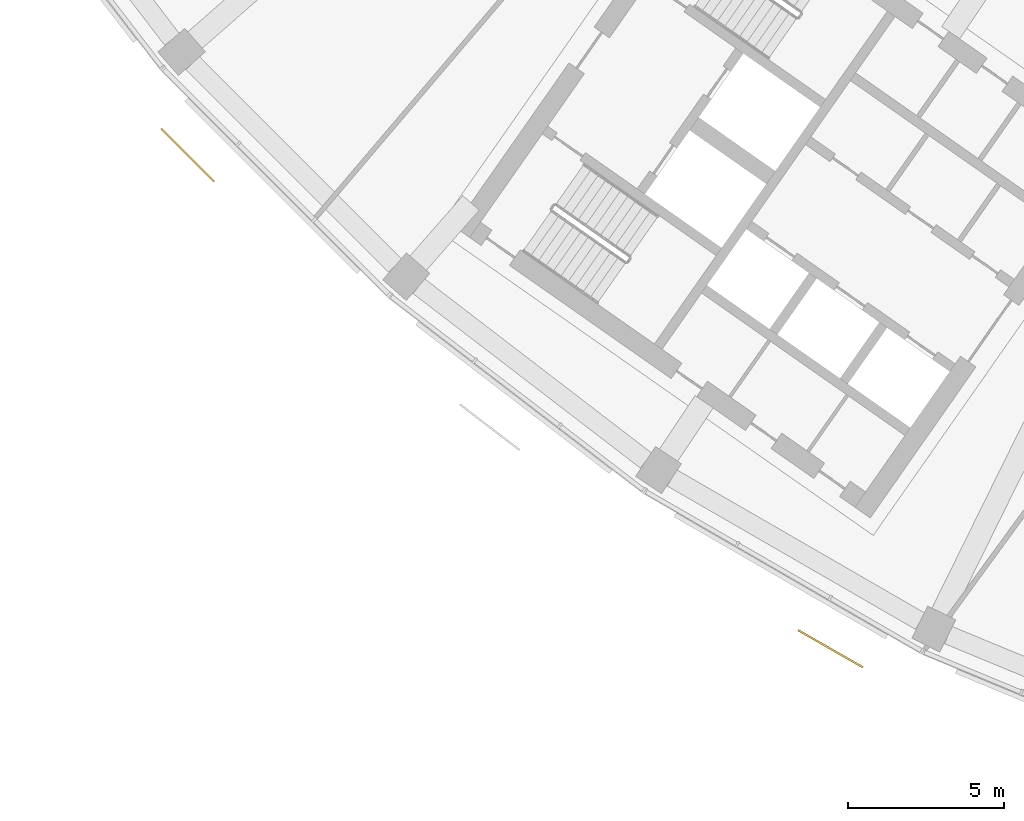
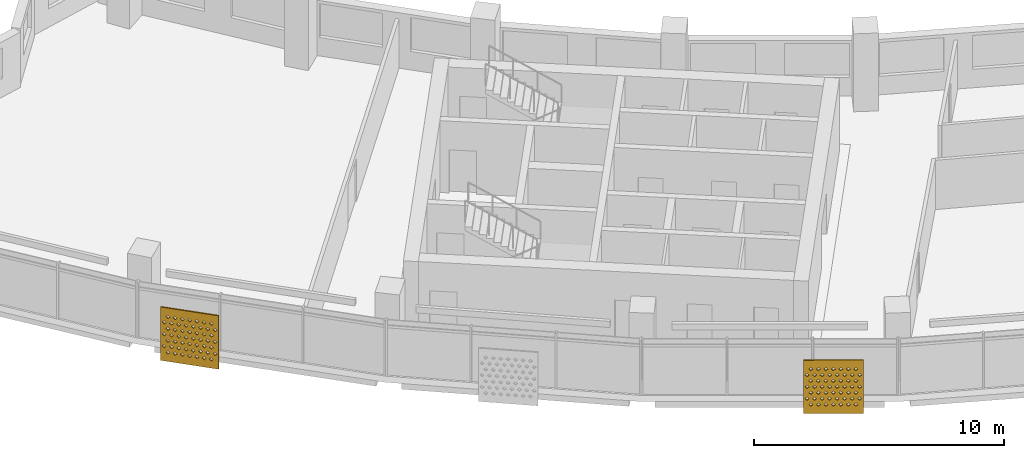
# One storey, part 22 of 27: 2 shading devices.
"""IFC4 building model written with IfcOpenShell, lengths in metres."""

from ifc_helpers import new_model, si_unit, direction, frame, origin, place, context, subcontext, project, spatial, polyline, outline, extrude, material, material_profile, profile_set, type_object, element, save


model = new_model("IFC4")

# Units and contexts
model_context = context("Model", 3, precision=1e-05, world=origin(), true_north=direction((0.0, 1.0)))
body_context = subcontext(model_context, "Body", "Model", "MODEL_VIEW")
ifc_project = project(units=[si_unit("LENGTHUNIT", "METRE"), si_unit("AREAUNIT", "SQUARE_METRE"), si_unit("VOLUMEUNIT", "CUBIC_METRE"), si_unit("PLANEANGLEUNIT", "RADIAN"), si_unit("MASSUNIT", "GRAM", prefix="KILO")], contexts=[model_context])

# Site, building, storey
site_placement = place(None, origin())
site = spatial("IfcSite", under=ifc_project, at=site_placement, CompositionType="ELEMENT")
building_placement = place(site_placement, origin())
building = spatial("IfcBuilding", under=site, at=building_placement, Name="Qamariyya Broadcast Tower", CompositionType="ELEMENT")
storey_placement = place(building_placement, frame((0.0, 0.0, 222.699951171875)))
storey = spatial("IfcBuildingStorey", under=building, at=storey_placement, Name="L53", CompositionType="ELEMENT", Elevation=222.699951171875)

# Shading devices
ifc_material = material(Name="Perforated glazed terracotta", Category="masonry")
ifc_material_profile = material_profile(ifc_material, outline(polyline([(-1.199951171875, -1.300048828125), (1.199951171875, -1.300048828125), (1.199951171875, 1.300048828125), (-1.199951171875, 1.300048828125), (-1.199951171875, -1.300048828125)]), holes=[polyline([(-0.81494140625, -0.86669921875), (-0.89990234375, -0.78173828125), (-0.985107421875, -0.86669921875), (-0.89990234375, -0.95166015625), (-0.81494140625, -0.86669921875)]), polyline([(-0.514892578125, -0.86669921875), (-0.60009765625, -0.78173828125), (-0.68505859375, -0.86669921875), (-0.60009765625, -0.95166015625), (-0.514892578125, -0.86669921875)]), polyline([(-0.215087890625, -0.86669921875), (-0.300048828125, -0.78173828125), (-0.385009765625, -0.86669921875), (-0.300048828125, -0.95166015625), (-0.215087890625, -0.86669921875)]), polyline([(0.0849609375, -0.86669921875), (0.0, -0.78173828125), (-0.0849609375, -0.86669921875), (0.0, -0.95166015625), (0.0849609375, -0.86669921875)]), polyline([(0.385009765625, -0.86669921875), (0.300048828125, -0.78173828125), (0.215087890625, -0.86669921875), (0.300048828125, -0.95166015625), (0.385009765625, -0.86669921875)]), polyline([(0.68505859375, -0.86669921875), (0.60009765625, -0.78173828125), (0.514892578125, -0.86669921875), (0.60009765625, -0.95166015625), (0.68505859375, -0.86669921875)]), polyline([(0.985107421875, -0.86669921875), (0.89990234375, -0.78173828125), (0.81494140625, -0.86669921875), (0.89990234375, -0.95166015625), (0.985107421875, -0.86669921875)]), polyline([(-0.965087890625, -0.577880859375), (-1.050048828125, -0.49267578125), (-1.135009765625, -0.577880859375), (-1.050048828125, -0.662841796875), (-0.965087890625, -0.577880859375)]), polyline([(-0.6650390625, -0.577880859375), (-0.75, -0.49267578125), (-0.8349609375, -0.577880859375), (-0.75, -0.662841796875), (-0.6650390625, -0.577880859375)]), polyline([(-0.364990234375, -0.577880859375), (-0.449951171875, -0.49267578125), (-0.534912109375, -0.577880859375), (-0.449951171875, -0.662841796875), (-0.364990234375, -0.577880859375)]), polyline([(-0.06494140625, -0.577880859375), (-0.14990234375, -0.49267578125), (-0.235107421875, -0.577880859375), (-0.14990234375, -0.662841796875), (-0.06494140625, -0.577880859375)]), polyline([(0.235107421875, -0.577880859375), (0.14990234375, -0.49267578125), (0.06494140625, -0.577880859375), (0.14990234375, -0.662841796875), (0.235107421875, -0.577880859375)]), polyline([(0.534912109375, -0.577880859375), (0.449951171875, -0.49267578125), (0.364990234375, -0.577880859375), (0.449951171875, -0.662841796875), (0.534912109375, -0.577880859375)]), polyline([(0.8349609375, -0.577880859375), (0.75, -0.49267578125), (0.6650390625, -0.577880859375), (0.75, -0.662841796875), (0.8349609375, -0.577880859375)]), polyline([(1.135009765625, -0.577880859375), (1.050048828125, -0.49267578125), (0.965087890625, -0.577880859375), (1.050048828125, -0.662841796875), (1.135009765625, -0.577880859375)]), polyline([(-0.81494140625, -0.288818359375), (-0.89990234375, -0.203857421875), (-0.985107421875, -0.288818359375), (-0.89990234375, -0.373779296875), (-0.81494140625, -0.288818359375)]), polyline([(-0.514892578125, -0.288818359375), (-0.60009765625, -0.203857421875), (-0.68505859375, -0.288818359375), (-0.60009765625, -0.373779296875), (-0.514892578125, -0.288818359375)]), polyline([(-0.215087890625, -0.288818359375), (-0.300048828125, -0.203857421875), (-0.385009765625, -0.288818359375), (-0.300048828125, -0.373779296875), (-0.215087890625, -0.288818359375)]), polyline([(0.0849609375, -0.288818359375), (0.0, -0.203857421875), (-0.0849609375, -0.288818359375), (0.0, -0.373779296875), (0.0849609375, -0.288818359375)]), polyline([(0.385009765625, -0.288818359375), (0.300048828125, -0.203857421875), (0.215087890625, -0.288818359375), (0.300048828125, -0.373779296875), (0.385009765625, -0.288818359375)]), polyline([(0.68505859375, -0.288818359375), (0.60009765625, -0.203857421875), (0.514892578125, -0.288818359375), (0.60009765625, -0.373779296875), (0.68505859375, -0.288818359375)]), polyline([(0.985107421875, -0.288818359375), (0.89990234375, -0.203857421875), (0.81494140625, -0.288818359375), (0.89990234375, -0.373779296875), (0.985107421875, -0.288818359375)]), polyline([(-0.965087890625, 0.0), (-1.050048828125, 0.0849609375), (-1.135009765625, 0.0), (-1.050048828125, -0.0849609375), (-0.965087890625, 0.0)]), polyline([(-0.6650390625, 0.0), (-0.75, 0.0849609375), (-0.8349609375, 0.0), (-0.75, -0.0849609375), (-0.6650390625, 0.0)]), polyline([(-0.364990234375, 0.0), (-0.449951171875, 0.0849609375), (-0.534912109375, 0.0), (-0.449951171875, -0.0849609375), (-0.364990234375, 0.0)]), polyline([(-0.06494140625, 0.0), (-0.14990234375, 0.0849609375), (-0.235107421875, 0.0), (-0.14990234375, -0.0849609375), (-0.06494140625, 0.0)]), polyline([(0.235107421875, 0.0), (0.14990234375, 0.0849609375), (0.06494140625, 0.0), (0.14990234375, -0.0849609375), (0.235107421875, 0.0)]), polyline([(0.534912109375, 0.0), (0.449951171875, 0.0849609375), (0.364990234375, 0.0), (0.449951171875, -0.0849609375), (0.534912109375, 0.0)]), polyline([(0.8349609375, 0.0), (0.75, 0.0849609375), (0.6650390625, 0.0), (0.75, -0.0849609375), (0.8349609375, 0.0)]), polyline([(1.135009765625, 0.0), (1.050048828125, 0.0849609375), (0.965087890625, 0.0), (1.050048828125, -0.0849609375), (1.135009765625, 0.0)]), polyline([(-0.81494140625, 0.288818359375), (-0.89990234375, 0.373779296875), (-0.985107421875, 0.288818359375), (-0.89990234375, 0.203857421875), (-0.81494140625, 0.288818359375)]), polyline([(-0.514892578125, 0.288818359375), (-0.60009765625, 0.373779296875), (-0.68505859375, 0.288818359375), (-0.60009765625, 0.203857421875), (-0.514892578125, 0.288818359375)]), polyline([(-0.215087890625, 0.288818359375), (-0.300048828125, 0.373779296875), (-0.385009765625, 0.288818359375), (-0.300048828125, 0.203857421875), (-0.215087890625, 0.288818359375)]), polyline([(0.0849609375, 0.288818359375), (0.0, 0.373779296875), (-0.0849609375, 0.288818359375), (0.0, 0.203857421875), (0.0849609375, 0.288818359375)]), polyline([(0.385009765625, 0.288818359375), (0.300048828125, 0.373779296875), (0.215087890625, 0.288818359375), (0.300048828125, 0.203857421875), (0.385009765625, 0.288818359375)]), polyline([(0.68505859375, 0.288818359375), (0.60009765625, 0.373779296875), (0.514892578125, 0.288818359375), (0.60009765625, 0.203857421875), (0.68505859375, 0.288818359375)]), polyline([(0.985107421875, 0.288818359375), (0.89990234375, 0.373779296875), (0.81494140625, 0.288818359375), (0.89990234375, 0.203857421875), (0.985107421875, 0.288818359375)]), polyline([(-0.965087890625, 0.577880859375), (-1.050048828125, 0.662841796875), (-1.135009765625, 0.577880859375), (-1.050048828125, 0.49267578125), (-0.965087890625, 0.577880859375)]), polyline([(-0.6650390625, 0.577880859375), (-0.75, 0.662841796875), (-0.8349609375, 0.577880859375), (-0.75, 0.49267578125), (-0.6650390625, 0.577880859375)]), polyline([(-0.364990234375, 0.577880859375), (-0.449951171875, 0.662841796875), (-0.534912109375, 0.577880859375), (-0.449951171875, 0.49267578125), (-0.364990234375, 0.577880859375)]), polyline([(-0.06494140625, 0.577880859375), (-0.14990234375, 0.662841796875), (-0.235107421875, 0.577880859375), (-0.14990234375, 0.49267578125), (-0.06494140625, 0.577880859375)]), polyline([(0.235107421875, 0.577880859375), (0.14990234375, 0.662841796875), (0.06494140625, 0.577880859375), (0.14990234375, 0.49267578125), (0.235107421875, 0.577880859375)]), polyline([(0.534912109375, 0.577880859375), (0.449951171875, 0.662841796875), (0.364990234375, 0.577880859375), (0.449951171875, 0.49267578125), (0.534912109375, 0.577880859375)]), polyline([(0.8349609375, 0.577880859375), (0.75, 0.662841796875), (0.6650390625, 0.577880859375), (0.75, 0.49267578125), (0.8349609375, 0.577880859375)]), polyline([(1.135009765625, 0.577880859375), (1.050048828125, 0.662841796875), (0.965087890625, 0.577880859375), (1.050048828125, 0.49267578125), (1.135009765625, 0.577880859375)]), polyline([(-0.81494140625, 0.86669921875), (-0.89990234375, 0.95166015625), (-0.985107421875, 0.86669921875), (-0.89990234375, 0.78173828125), (-0.81494140625, 0.86669921875)]), polyline([(-0.514892578125, 0.86669921875), (-0.60009765625, 0.95166015625), (-0.68505859375, 0.86669921875), (-0.60009765625, 0.78173828125), (-0.514892578125, 0.86669921875)]), polyline([(-0.215087890625, 0.86669921875), (-0.300048828125, 0.95166015625), (-0.385009765625, 0.86669921875), (-0.300048828125, 0.78173828125), (-0.215087890625, 0.86669921875)]), polyline([(0.0849609375, 0.86669921875), (0.0, 0.95166015625), (-0.0849609375, 0.86669921875), (0.0, 0.78173828125), (0.0849609375, 0.86669921875)]), polyline([(0.385009765625, 0.86669921875), (0.300048828125, 0.95166015625), (0.215087890625, 0.86669921875), (0.300048828125, 0.78173828125), (0.385009765625, 0.86669921875)]), polyline([(0.68505859375, 0.86669921875), (0.60009765625, 0.95166015625), (0.514892578125, 0.86669921875), (0.60009765625, 0.78173828125), (0.68505859375, 0.86669921875)]), polyline([(0.985107421875, 0.86669921875), (0.89990234375, 0.95166015625), (0.81494140625, 0.86669921875), (0.89990234375, 0.78173828125), (0.985107421875, 0.86669921875)])]))
ifc_profile_set = profile_set([ifc_material_profile], Name="Perforated glazed terracotta")
shading_device_type = type_object("IfcShadingDeviceType", Name="Perforated terracotta screen 2400 x 2600", PredefinedType="USERDEFINED", material=ifc_profile_set)
shading_device_1_placement = place(storey_placement, frame((-58.237060546875, -54.548828125, 1.35009765625), z_axis=(-0.707106781187, -0.707106781187, 0.0), x_axis=(0.707106781187, -0.707106781187, 0.0)))
element("IfcShadingDevice", 1, at=shading_device_1_placement, inside=storey, type_object=shading_device_type, Name="e-scr-L53-02-0", ObjectType="SCREEN", PredefinedType="USERDEFINED", context=body_context, shape_type="SweptSolid", body=[
    extrude(outline(polyline([(-1.199951171875, -1.300048828125), (1.199951171875, -1.300048828125), (1.199951171875, 1.300048828125), (-1.199951171875, 1.300048828125), (-1.199951171875, -1.300048828125)]), holes=[polyline([(-0.81494140625, -0.86669921875), (-0.89990234375, -0.78173828125), (-0.985107421875, -0.86669921875), (-0.89990234375, -0.95166015625), (-0.81494140625, -0.86669921875)]), polyline([(-0.514892578125, -0.86669921875), (-0.60009765625, -0.78173828125), (-0.68505859375, -0.86669921875), (-0.60009765625, -0.95166015625), (-0.514892578125, -0.86669921875)]), polyline([(-0.215087890625, -0.86669921875), (-0.300048828125, -0.78173828125), (-0.385009765625, -0.86669921875), (-0.300048828125, -0.95166015625), (-0.215087890625, -0.86669921875)]), polyline([(0.0849609375, -0.86669921875), (0.0, -0.78173828125), (-0.0849609375, -0.86669921875), (0.0, -0.95166015625), (0.0849609375, -0.86669921875)]), polyline([(0.385009765625, -0.86669921875), (0.300048828125, -0.78173828125), (0.215087890625, -0.86669921875), (0.300048828125, -0.95166015625), (0.385009765625, -0.86669921875)]), polyline([(0.68505859375, -0.86669921875), (0.60009765625, -0.78173828125), (0.514892578125, -0.86669921875), (0.60009765625, -0.95166015625), (0.68505859375, -0.86669921875)]), polyline([(0.985107421875, -0.86669921875), (0.89990234375, -0.78173828125), (0.81494140625, -0.86669921875), (0.89990234375, -0.95166015625), (0.985107421875, -0.86669921875)]), polyline([(-0.965087890625, -0.577880859375), (-1.050048828125, -0.49267578125), (-1.135009765625, -0.577880859375), (-1.050048828125, -0.662841796875), (-0.965087890625, -0.577880859375)]), polyline([(-0.6650390625, -0.577880859375), (-0.75, -0.49267578125), (-0.8349609375, -0.577880859375), (-0.75, -0.662841796875), (-0.6650390625, -0.577880859375)]), polyline([(-0.364990234375, -0.577880859375), (-0.449951171875, -0.49267578125), (-0.534912109375, -0.577880859375), (-0.449951171875, -0.662841796875), (-0.364990234375, -0.577880859375)]), polyline([(-0.06494140625, -0.577880859375), (-0.14990234375, -0.49267578125), (-0.235107421875, -0.577880859375), (-0.14990234375, -0.662841796875), (-0.06494140625, -0.577880859375)]), polyline([(0.235107421875, -0.577880859375), (0.14990234375, -0.49267578125), (0.06494140625, -0.577880859375), (0.14990234375, -0.662841796875), (0.235107421875, -0.577880859375)]), polyline([(0.534912109375, -0.577880859375), (0.449951171875, -0.49267578125), (0.364990234375, -0.577880859375), (0.449951171875, -0.662841796875), (0.534912109375, -0.577880859375)]), polyline([(0.8349609375, -0.577880859375), (0.75, -0.49267578125), (0.6650390625, -0.577880859375), (0.75, -0.662841796875), (0.8349609375, -0.577880859375)]), polyline([(1.135009765625, -0.577880859375), (1.050048828125, -0.49267578125), (0.965087890625, -0.577880859375), (1.050048828125, -0.662841796875), (1.135009765625, -0.577880859375)]), polyline([(-0.81494140625, -0.288818359375), (-0.89990234375, -0.203857421875), (-0.985107421875, -0.288818359375), (-0.89990234375, -0.373779296875), (-0.81494140625, -0.288818359375)]), polyline([(-0.514892578125, -0.288818359375), (-0.60009765625, -0.203857421875), (-0.68505859375, -0.288818359375), (-0.60009765625, -0.373779296875), (-0.514892578125, -0.288818359375)]), polyline([(-0.215087890625, -0.288818359375), (-0.300048828125, -0.203857421875), (-0.385009765625, -0.288818359375), (-0.300048828125, -0.373779296875), (-0.215087890625, -0.288818359375)]), polyline([(0.0849609375, -0.288818359375), (0.0, -0.203857421875), (-0.0849609375, -0.288818359375), (0.0, -0.373779296875), (0.0849609375, -0.288818359375)]), polyline([(0.385009765625, -0.288818359375), (0.300048828125, -0.203857421875), (0.215087890625, -0.288818359375), (0.300048828125, -0.373779296875), (0.385009765625, -0.288818359375)]), polyline([(0.68505859375, -0.288818359375), (0.60009765625, -0.203857421875), (0.514892578125, -0.288818359375), (0.60009765625, -0.373779296875), (0.68505859375, -0.288818359375)]), polyline([(0.985107421875, -0.288818359375), (0.89990234375, -0.203857421875), (0.81494140625, -0.288818359375), (0.89990234375, -0.373779296875), (0.985107421875, -0.288818359375)]), polyline([(-0.965087890625, 0.0), (-1.050048828125, 0.0849609375), (-1.135009765625, 0.0), (-1.050048828125, -0.0849609375), (-0.965087890625, 0.0)]), polyline([(-0.6650390625, 0.0), (-0.75, 0.0849609375), (-0.8349609375, 0.0), (-0.75, -0.0849609375), (-0.6650390625, 0.0)]), polyline([(-0.364990234375, 0.0), (-0.449951171875, 0.0849609375), (-0.534912109375, 0.0), (-0.449951171875, -0.0849609375), (-0.364990234375, 0.0)]), polyline([(-0.06494140625, 0.0), (-0.14990234375, 0.0849609375), (-0.235107421875, 0.0), (-0.14990234375, -0.0849609375), (-0.06494140625, 0.0)]), polyline([(0.235107421875, 0.0), (0.14990234375, 0.0849609375), (0.06494140625, 0.0), (0.14990234375, -0.0849609375), (0.235107421875, 0.0)]), polyline([(0.534912109375, 0.0), (0.449951171875, 0.0849609375), (0.364990234375, 0.0), (0.449951171875, -0.0849609375), (0.534912109375, 0.0)]), polyline([(0.8349609375, 0.0), (0.75, 0.0849609375), (0.6650390625, 0.0), (0.75, -0.0849609375), (0.8349609375, 0.0)]), polyline([(1.135009765625, 0.0), (1.050048828125, 0.0849609375), (0.965087890625, 0.0), (1.050048828125, -0.0849609375), (1.135009765625, 0.0)]), polyline([(-0.81494140625, 0.288818359375), (-0.89990234375, 0.373779296875), (-0.985107421875, 0.288818359375), (-0.89990234375, 0.203857421875), (-0.81494140625, 0.288818359375)]), polyline([(-0.514892578125, 0.288818359375), (-0.60009765625, 0.373779296875), (-0.68505859375, 0.288818359375), (-0.60009765625, 0.203857421875), (-0.514892578125, 0.288818359375)]), polyline([(-0.215087890625, 0.288818359375), (-0.300048828125, 0.373779296875), (-0.385009765625, 0.288818359375), (-0.300048828125, 0.203857421875), (-0.215087890625, 0.288818359375)]), polyline([(0.0849609375, 0.288818359375), (0.0, 0.373779296875), (-0.0849609375, 0.288818359375), (0.0, 0.203857421875), (0.0849609375, 0.288818359375)]), polyline([(0.385009765625, 0.288818359375), (0.300048828125, 0.373779296875), (0.215087890625, 0.288818359375), (0.300048828125, 0.203857421875), (0.385009765625, 0.288818359375)]), polyline([(0.68505859375, 0.288818359375), (0.60009765625, 0.373779296875), (0.514892578125, 0.288818359375), (0.60009765625, 0.203857421875), (0.68505859375, 0.288818359375)]), polyline([(0.985107421875, 0.288818359375), (0.89990234375, 0.373779296875), (0.81494140625, 0.288818359375), (0.89990234375, 0.203857421875), (0.985107421875, 0.288818359375)]), polyline([(-0.965087890625, 0.577880859375), (-1.050048828125, 0.662841796875), (-1.135009765625, 0.577880859375), (-1.050048828125, 0.49267578125), (-0.965087890625, 0.577880859375)]), polyline([(-0.6650390625, 0.577880859375), (-0.75, 0.662841796875), (-0.8349609375, 0.577880859375), (-0.75, 0.49267578125), (-0.6650390625, 0.577880859375)]), polyline([(-0.364990234375, 0.577880859375), (-0.449951171875, 0.662841796875), (-0.534912109375, 0.577880859375), (-0.449951171875, 0.49267578125), (-0.364990234375, 0.577880859375)]), polyline([(-0.06494140625, 0.577880859375), (-0.14990234375, 0.662841796875), (-0.235107421875, 0.577880859375), (-0.14990234375, 0.49267578125), (-0.06494140625, 0.577880859375)]), polyline([(0.235107421875, 0.577880859375), (0.14990234375, 0.662841796875), (0.06494140625, 0.577880859375), (0.14990234375, 0.49267578125), (0.235107421875, 0.577880859375)]), polyline([(0.534912109375, 0.577880859375), (0.449951171875, 0.662841796875), (0.364990234375, 0.577880859375), (0.449951171875, 0.49267578125), (0.534912109375, 0.577880859375)]), polyline([(0.8349609375, 0.577880859375), (0.75, 0.662841796875), (0.6650390625, 0.577880859375), (0.75, 0.49267578125), (0.8349609375, 0.577880859375)]), polyline([(1.135009765625, 0.577880859375), (1.050048828125, 0.662841796875), (0.965087890625, 0.577880859375), (1.050048828125, 0.49267578125), (1.135009765625, 0.577880859375)]), polyline([(-0.81494140625, 0.86669921875), (-0.89990234375, 0.95166015625), (-0.985107421875, 0.86669921875), (-0.89990234375, 0.78173828125), (-0.81494140625, 0.86669921875)]), polyline([(-0.514892578125, 0.86669921875), (-0.60009765625, 0.95166015625), (-0.68505859375, 0.86669921875), (-0.60009765625, 0.78173828125), (-0.514892578125, 0.86669921875)]), polyline([(-0.215087890625, 0.86669921875), (-0.300048828125, 0.95166015625), (-0.385009765625, 0.86669921875), (-0.300048828125, 0.78173828125), (-0.215087890625, 0.86669921875)]), polyline([(0.0849609375, 0.86669921875), (0.0, 0.95166015625), (-0.0849609375, 0.86669921875), (0.0, 0.78173828125), (0.0849609375, 0.86669921875)]), polyline([(0.385009765625, 0.86669921875), (0.300048828125, 0.95166015625), (0.215087890625, 0.86669921875), (0.300048828125, 0.78173828125), (0.385009765625, 0.86669921875)]), polyline([(0.68505859375, 0.86669921875), (0.60009765625, 0.95166015625), (0.514892578125, 0.86669921875), (0.60009765625, 0.78173828125), (0.68505859375, 0.86669921875)]), polyline([(0.985107421875, 0.86669921875), (0.89990234375, 0.95166015625), (0.81494140625, 0.86669921875), (0.89990234375, 0.78173828125), (0.985107421875, 0.86669921875)])]), origin(), (0.0, 0.0, 1.0), 0.06005859375),
])
shading_device_2_placement = place(storey_placement, frame((-37.6796875, -70.3349609375, 1.35009765625), z_axis=(-0.497016140981, -0.86774129532, 0.0), x_axis=(0.86774129532, -0.497016140981, 0.0)))
element("IfcShadingDevice", 2, at=shading_device_2_placement, inside=storey, type_object=shading_device_type, Name="e-scr-L53-04-2", ObjectType="SCREEN", PredefinedType="USERDEFINED", context=body_context, shape_type="SweptSolid", body=[
    extrude(outline(polyline([(-1.199951171875, -1.300048828125), (1.199951171875, -1.300048828125), (1.199951171875, 1.300048828125), (-1.199951171875, 1.300048828125), (-1.199951171875, -1.300048828125)]), holes=[polyline([(-0.81494140625, -0.86669921875), (-0.89990234375, -0.78173828125), (-0.985107421875, -0.86669921875), (-0.89990234375, -0.95166015625), (-0.81494140625, -0.86669921875)]), polyline([(-0.514892578125, -0.86669921875), (-0.60009765625, -0.78173828125), (-0.68505859375, -0.86669921875), (-0.60009765625, -0.95166015625), (-0.514892578125, -0.86669921875)]), polyline([(-0.215087890625, -0.86669921875), (-0.300048828125, -0.78173828125), (-0.385009765625, -0.86669921875), (-0.300048828125, -0.95166015625), (-0.215087890625, -0.86669921875)]), polyline([(0.0849609375, -0.86669921875), (0.0, -0.78173828125), (-0.0849609375, -0.86669921875), (0.0, -0.95166015625), (0.0849609375, -0.86669921875)]), polyline([(0.385009765625, -0.86669921875), (0.300048828125, -0.78173828125), (0.215087890625, -0.86669921875), (0.300048828125, -0.95166015625), (0.385009765625, -0.86669921875)]), polyline([(0.68505859375, -0.86669921875), (0.60009765625, -0.78173828125), (0.514892578125, -0.86669921875), (0.60009765625, -0.95166015625), (0.68505859375, -0.86669921875)]), polyline([(0.985107421875, -0.86669921875), (0.89990234375, -0.78173828125), (0.81494140625, -0.86669921875), (0.89990234375, -0.95166015625), (0.985107421875, -0.86669921875)]), polyline([(-0.965087890625, -0.577880859375), (-1.050048828125, -0.49267578125), (-1.135009765625, -0.577880859375), (-1.050048828125, -0.662841796875), (-0.965087890625, -0.577880859375)]), polyline([(-0.6650390625, -0.577880859375), (-0.75, -0.49267578125), (-0.8349609375, -0.577880859375), (-0.75, -0.662841796875), (-0.6650390625, -0.577880859375)]), polyline([(-0.364990234375, -0.577880859375), (-0.449951171875, -0.49267578125), (-0.534912109375, -0.577880859375), (-0.449951171875, -0.662841796875), (-0.364990234375, -0.577880859375)]), polyline([(-0.06494140625, -0.577880859375), (-0.14990234375, -0.49267578125), (-0.235107421875, -0.577880859375), (-0.14990234375, -0.662841796875), (-0.06494140625, -0.577880859375)]), polyline([(0.235107421875, -0.577880859375), (0.14990234375, -0.49267578125), (0.06494140625, -0.577880859375), (0.14990234375, -0.662841796875), (0.235107421875, -0.577880859375)]), polyline([(0.534912109375, -0.577880859375), (0.449951171875, -0.49267578125), (0.364990234375, -0.577880859375), (0.449951171875, -0.662841796875), (0.534912109375, -0.577880859375)]), polyline([(0.8349609375, -0.577880859375), (0.75, -0.49267578125), (0.6650390625, -0.577880859375), (0.75, -0.662841796875), (0.8349609375, -0.577880859375)]), polyline([(1.135009765625, -0.577880859375), (1.050048828125, -0.49267578125), (0.965087890625, -0.577880859375), (1.050048828125, -0.662841796875), (1.135009765625, -0.577880859375)]), polyline([(-0.81494140625, -0.288818359375), (-0.89990234375, -0.203857421875), (-0.985107421875, -0.288818359375), (-0.89990234375, -0.373779296875), (-0.81494140625, -0.288818359375)]), polyline([(-0.514892578125, -0.288818359375), (-0.60009765625, -0.203857421875), (-0.68505859375, -0.288818359375), (-0.60009765625, -0.373779296875), (-0.514892578125, -0.288818359375)]), polyline([(-0.215087890625, -0.288818359375), (-0.300048828125, -0.203857421875), (-0.385009765625, -0.288818359375), (-0.300048828125, -0.373779296875), (-0.215087890625, -0.288818359375)]), polyline([(0.0849609375, -0.288818359375), (0.0, -0.203857421875), (-0.0849609375, -0.288818359375), (0.0, -0.373779296875), (0.0849609375, -0.288818359375)]), polyline([(0.385009765625, -0.288818359375), (0.300048828125, -0.203857421875), (0.215087890625, -0.288818359375), (0.300048828125, -0.373779296875), (0.385009765625, -0.288818359375)]), polyline([(0.68505859375, -0.288818359375), (0.60009765625, -0.203857421875), (0.514892578125, -0.288818359375), (0.60009765625, -0.373779296875), (0.68505859375, -0.288818359375)]), polyline([(0.985107421875, -0.288818359375), (0.89990234375, -0.203857421875), (0.81494140625, -0.288818359375), (0.89990234375, -0.373779296875), (0.985107421875, -0.288818359375)]), polyline([(-0.965087890625, 0.0), (-1.050048828125, 0.0849609375), (-1.135009765625, 0.0), (-1.050048828125, -0.0849609375), (-0.965087890625, 0.0)]), polyline([(-0.6650390625, 0.0), (-0.75, 0.0849609375), (-0.8349609375, 0.0), (-0.75, -0.0849609375), (-0.6650390625, 0.0)]), polyline([(-0.364990234375, 0.0), (-0.449951171875, 0.0849609375), (-0.534912109375, 0.0), (-0.449951171875, -0.0849609375), (-0.364990234375, 0.0)]), polyline([(-0.06494140625, 0.0), (-0.14990234375, 0.0849609375), (-0.235107421875, 0.0), (-0.14990234375, -0.0849609375), (-0.06494140625, 0.0)]), polyline([(0.235107421875, 0.0), (0.14990234375, 0.0849609375), (0.06494140625, 0.0), (0.14990234375, -0.0849609375), (0.235107421875, 0.0)]), polyline([(0.534912109375, 0.0), (0.449951171875, 0.0849609375), (0.364990234375, 0.0), (0.449951171875, -0.0849609375), (0.534912109375, 0.0)]), polyline([(0.8349609375, 0.0), (0.75, 0.0849609375), (0.6650390625, 0.0), (0.75, -0.0849609375), (0.8349609375, 0.0)]), polyline([(1.135009765625, 0.0), (1.050048828125, 0.0849609375), (0.965087890625, 0.0), (1.050048828125, -0.0849609375), (1.135009765625, 0.0)]), polyline([(-0.81494140625, 0.288818359375), (-0.89990234375, 0.373779296875), (-0.985107421875, 0.288818359375), (-0.89990234375, 0.203857421875), (-0.81494140625, 0.288818359375)]), polyline([(-0.514892578125, 0.288818359375), (-0.60009765625, 0.373779296875), (-0.68505859375, 0.288818359375), (-0.60009765625, 0.203857421875), (-0.514892578125, 0.288818359375)]), polyline([(-0.215087890625, 0.288818359375), (-0.300048828125, 0.373779296875), (-0.385009765625, 0.288818359375), (-0.300048828125, 0.203857421875), (-0.215087890625, 0.288818359375)]), polyline([(0.0849609375, 0.288818359375), (0.0, 0.373779296875), (-0.0849609375, 0.288818359375), (0.0, 0.203857421875), (0.0849609375, 0.288818359375)]), polyline([(0.385009765625, 0.288818359375), (0.300048828125, 0.373779296875), (0.215087890625, 0.288818359375), (0.300048828125, 0.203857421875), (0.385009765625, 0.288818359375)]), polyline([(0.68505859375, 0.288818359375), (0.60009765625, 0.373779296875), (0.514892578125, 0.288818359375), (0.60009765625, 0.203857421875), (0.68505859375, 0.288818359375)]), polyline([(0.985107421875, 0.288818359375), (0.89990234375, 0.373779296875), (0.81494140625, 0.288818359375), (0.89990234375, 0.203857421875), (0.985107421875, 0.288818359375)]), polyline([(-0.965087890625, 0.577880859375), (-1.050048828125, 0.662841796875), (-1.135009765625, 0.577880859375), (-1.050048828125, 0.49267578125), (-0.965087890625, 0.577880859375)]), polyline([(-0.6650390625, 0.577880859375), (-0.75, 0.662841796875), (-0.8349609375, 0.577880859375), (-0.75, 0.49267578125), (-0.6650390625, 0.577880859375)]), polyline([(-0.364990234375, 0.577880859375), (-0.449951171875, 0.662841796875), (-0.534912109375, 0.577880859375), (-0.449951171875, 0.49267578125), (-0.364990234375, 0.577880859375)]), polyline([(-0.06494140625, 0.577880859375), (-0.14990234375, 0.662841796875), (-0.235107421875, 0.577880859375), (-0.14990234375, 0.49267578125), (-0.06494140625, 0.577880859375)]), polyline([(0.235107421875, 0.577880859375), (0.14990234375, 0.662841796875), (0.06494140625, 0.577880859375), (0.14990234375, 0.49267578125), (0.235107421875, 0.577880859375)]), polyline([(0.534912109375, 0.577880859375), (0.449951171875, 0.662841796875), (0.364990234375, 0.577880859375), (0.449951171875, 0.49267578125), (0.534912109375, 0.577880859375)]), polyline([(0.8349609375, 0.577880859375), (0.75, 0.662841796875), (0.6650390625, 0.577880859375), (0.75, 0.49267578125), (0.8349609375, 0.577880859375)]), polyline([(1.135009765625, 0.577880859375), (1.050048828125, 0.662841796875), (0.965087890625, 0.577880859375), (1.050048828125, 0.49267578125), (1.135009765625, 0.577880859375)]), polyline([(-0.81494140625, 0.86669921875), (-0.89990234375, 0.95166015625), (-0.985107421875, 0.86669921875), (-0.89990234375, 0.78173828125), (-0.81494140625, 0.86669921875)]), polyline([(-0.514892578125, 0.86669921875), (-0.60009765625, 0.95166015625), (-0.68505859375, 0.86669921875), (-0.60009765625, 0.78173828125), (-0.514892578125, 0.86669921875)]), polyline([(-0.215087890625, 0.86669921875), (-0.300048828125, 0.95166015625), (-0.385009765625, 0.86669921875), (-0.300048828125, 0.78173828125), (-0.215087890625, 0.86669921875)]), polyline([(0.0849609375, 0.86669921875), (0.0, 0.95166015625), (-0.0849609375, 0.86669921875), (0.0, 0.78173828125), (0.0849609375, 0.86669921875)]), polyline([(0.385009765625, 0.86669921875), (0.300048828125, 0.95166015625), (0.215087890625, 0.86669921875), (0.300048828125, 0.78173828125), (0.385009765625, 0.86669921875)]), polyline([(0.68505859375, 0.86669921875), (0.60009765625, 0.95166015625), (0.514892578125, 0.86669921875), (0.60009765625, 0.78173828125), (0.68505859375, 0.86669921875)]), polyline([(0.985107421875, 0.86669921875), (0.89990234375, 0.95166015625), (0.81494140625, 0.86669921875), (0.89990234375, 0.78173828125), (0.985107421875, 0.86669921875)])]), origin(), (0.0, 0.0, 1.0), 0.059814453125),
])

save(model, "model.ifc")
